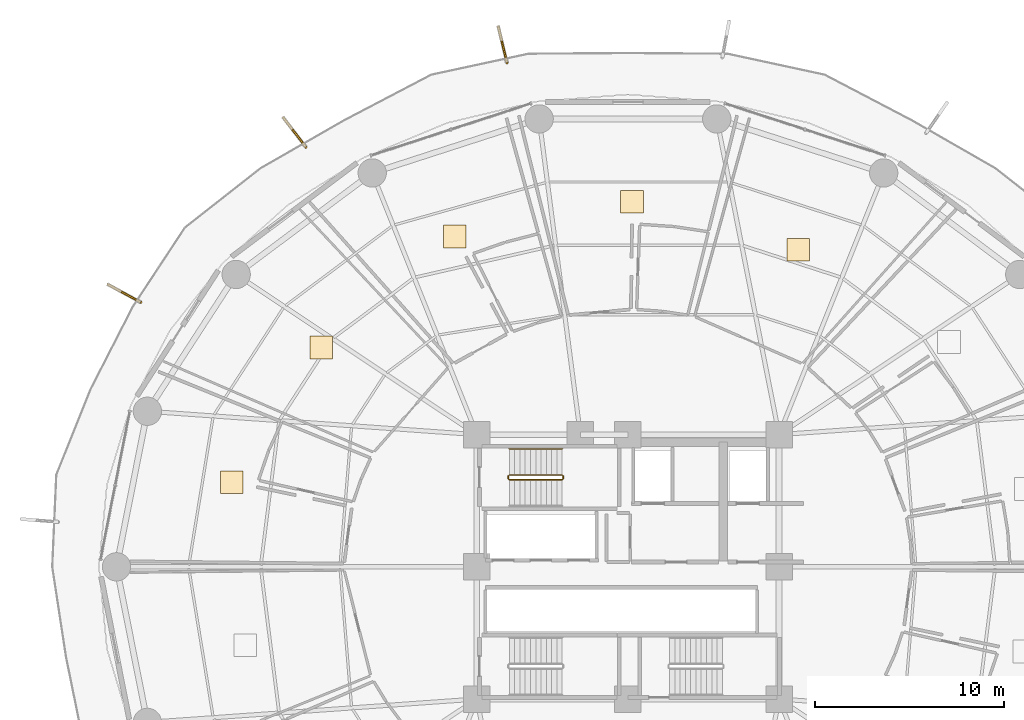
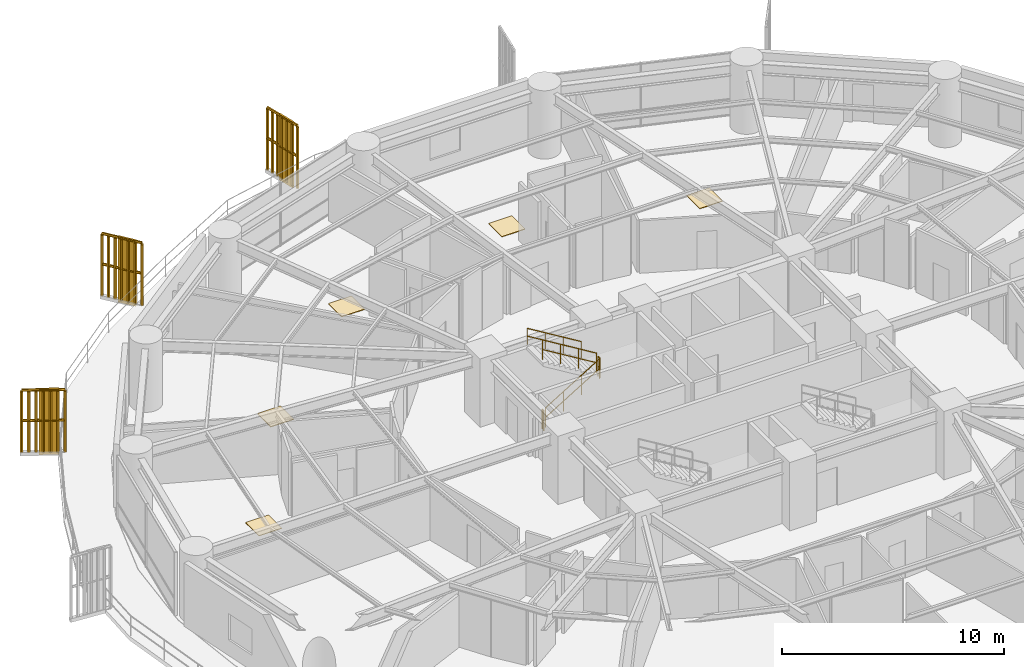
# One storey, part 33 of 34: 8 railings, 5 coverings, 3 shading devices.
"""IFC4 building model written with IfcOpenShell, lengths in metres."""

from ifc_helpers import new_model, si_unit, direction, frame, origin, origin_2d, place, context, subcontext, project, spatial, polyline, rectangle, outline, extrude, source, transform, mapped, material, layer, layer_set, type_object, element, save


model = new_model("IFC4")

# Units and contexts
model_context = context("Model", 3, precision=1e-05, world=origin(), true_north=direction((0.0, 1.0)))
body_context = subcontext(model_context, "Body", "Model", "MODEL_VIEW")
ifc_project = project(units=[si_unit("LENGTHUNIT", "METRE"), si_unit("AREAUNIT", "SQUARE_METRE"), si_unit("VOLUMEUNIT", "CUBIC_METRE"), si_unit("PLANEANGLEUNIT", "RADIAN"), si_unit("MASSUNIT", "GRAM", prefix="KILO")], contexts=[model_context])

# Site, building, storey
site_placement = place(None, origin())
site = spatial("IfcSite", under=ifc_project, at=site_placement, CompositionType="ELEMENT")
building_placement = place(site_placement, origin())
building = spatial("IfcBuilding", under=site, at=building_placement, Name="Kelanora Arch Commons", CompositionType="ELEMENT")
storey_placement = place(building_placement, frame((0.0, 0.0, 30.0)))
storey = spatial("IfcBuildingStorey", under=building, at=storey_placement, Name="L07", CompositionType="ELEMENT", Elevation=30.0)

# Railings
ifc_material_1 = material(Name="Anodised bronze vertical shading fin rib assembly")
railing_type_1 = type_object("IfcRailingType", Name="RAIL-FIN-BRZ", PredefinedType="BALUSTRADE", material=ifc_material_1)
railing_1_placement = place(storey_placement, frame((67.591064453125, 84.697509765625, -0.02001953125)))
element("IfcRailing", 1, at=railing_1_placement, inside=storey, type_object=railing_type_1, Name="Sweeping Bronze Vertical Fin Blade L07-04", PredefinedType="BALUSTRADE", context=body_context, shape_type="SweptSolid", body=[
    extrude(outline(polyline([(0.06982421875, 0.0), (0.034912109375, 0.060546875), (-0.034912109375, 0.060546875), (-0.06982421875, 0.0), (-0.034912109375, -0.060546875), (0.034912109375, -0.060546875), (0.06982421875, 0.0)])), frame((0.0, 0.0, 3.419921875), z_axis=(-0.233415463258, 0.97237709841, 0.0), x_axis=(-0.97237709841, -0.233415463258, 0.0)), (0.0, 0.0, 1.0), 1.954833984375),
    extrude(outline(polyline([(0.06982421875, 0.0), (0.034912109375, 0.060546875), (-0.034912109375, 0.060546875), (-0.06982421875, 0.0), (-0.034912109375, -0.060546875), (0.034912109375, -0.060546875), (0.06982421875, 0.0)])), frame((0.0, 0.0, 1.7451171875), z_axis=(-0.233415463258, 0.97237709841, 0.0), x_axis=(-0.97237709841, -0.233415463258, 0.0)), (0.0, 0.0, 1.0), 1.954833984375),
    extrude(outline(polyline([(0.080078125, 0.0), (0.0400390625, 0.0693359375), (-0.0400390625, 0.0693359375), (-0.080078125, 0.0), (-0.0400390625, -0.0693359375), (0.0400390625, -0.0693359375), (0.080078125, 0.0)])), origin(), (0.0, 0.0, 1.0), 3.35009765625),
    extrude(outline(polyline([(0.080078125, 0.0), (0.0400390625, 0.0693359375), (-0.0400390625, 0.0693359375), (-0.080078125, 0.0), (-0.0400390625, -0.0693359375), (0.0400390625, -0.0693359375), (0.080078125, 0.0)])), frame((-0.076171875, 0.31689453125, 0.0)), (0.0, 0.0, 1.0), 3.35009765625),
    extrude(outline(polyline([(0.080078125, 0.0), (0.0400390625, 0.0693359375), (-0.0400390625, 0.0693359375), (-0.080078125, 0.0), (-0.0400390625, -0.0693359375), (0.0400390625, -0.0693359375), (0.080078125, 0.0)])), frame((-0.152099609375, 0.633544921875, 0.0)), (0.0, 0.0, 1.0), 3.35009765625),
    extrude(outline(polyline([(0.080078125, 0.0), (0.0400390625, 0.0693359375), (-0.0400390625, 0.0693359375), (-0.080078125, 0.0), (-0.0400390625, -0.0693359375), (0.0400390625, -0.0693359375), (0.080078125, 0.0)])), frame((-0.22802734375, 0.950439453125, 0.0)), (0.0, 0.0, 1.0), 3.35009765625),
    extrude(outline(polyline([(0.080078125, 0.0), (0.0400390625, 0.0693359375), (-0.0400390625, 0.0693359375), (-0.080078125, 0.0), (-0.0400390625, -0.0693359375), (0.0400390625, -0.0693359375), (0.080078125, 0.0)])), frame((-0.30419921875, 1.267333984375, 0.0)), (0.0, 0.0, 1.0), 3.35009765625),
    extrude(outline(polyline([(0.080078125, 0.0), (0.0400390625, 0.0693359375), (-0.0400390625, 0.0693359375), (-0.080078125, 0.0), (-0.0400390625, -0.0693359375), (0.0400390625, -0.0693359375), (0.080078125, 0.0)])), frame((-0.38037109375, 1.583984375, 0.0)), (0.0, 0.0, 1.0), 3.35009765625),
    extrude(outline(polyline([(0.080078125, 0.0), (0.0400390625, 0.0693359375), (-0.0400390625, 0.0693359375), (-0.080078125, 0.0), (-0.0400390625, -0.0693359375), (0.0400390625, -0.0693359375), (0.080078125, 0.0)])), frame((-0.456298828125, 1.90087890625, 0.0)), (0.0, 0.0, 1.0), 3.35009765625),
])
railing_2_placement = place(storey_placement, frame((56.94384765625, 80.228759765625, -0.02001953125)))
element("IfcRailing", 2, at=railing_2_placement, inside=storey, type_object=railing_type_1, Name="Sweeping Bronze Vertical Fin Blade L07-05", PredefinedType="BALUSTRADE", context=body_context, shape_type="SweptSolid", body=[
    extrude(outline(polyline([(0.06982421875, 0.0), (0.034912109375, 0.060546875), (-0.034912109375, 0.060546875), (-0.06982421875, 0.0), (-0.034912109375, -0.060546875), (0.034912109375, -0.060546875), (0.06982421875, 0.0)])), frame((0.0, 0.0, 3.419921875), z_axis=(-0.6086963144, 0.793403300243, 0.0), x_axis=(-0.793403300243, -0.6086963144, 0.0)), (0.0, 0.0, 1.0), 1.954833984375),
    extrude(outline(polyline([(0.06982421875, 0.0), (0.034912109375, 0.060546875), (-0.034912109375, 0.060546875), (-0.06982421875, 0.0), (-0.034912109375, -0.060546875), (0.034912109375, -0.060546875), (0.06982421875, 0.0)])), frame((0.0, 0.0, 1.7451171875), z_axis=(-0.6086963144, 0.793403300243, 0.0), x_axis=(-0.793403300243, -0.6086963144, 0.0)), (0.0, 0.0, 1.0), 1.954833984375),
    extrude(outline(polyline([(0.080078125, 0.0), (0.0400390625, 0.0693359375), (-0.0400390625, 0.0693359375), (-0.080078125, 0.0), (-0.0400390625, -0.0693359375), (0.0400390625, -0.0693359375), (0.080078125, 0.0)])), origin(), (0.0, 0.0, 1.0), 3.35009765625),
    extrude(outline(polyline([(0.080078125, 0.0), (0.0400390625, 0.0693359375), (-0.0400390625, 0.0693359375), (-0.080078125, 0.0), (-0.0400390625, -0.0693359375), (0.0400390625, -0.0693359375), (0.080078125, 0.0)])), frame((-0.1982421875, 0.258544921875, 0.0)), (0.0, 0.0, 1.0), 3.35009765625),
    extrude(outline(polyline([(0.080078125, 0.0), (0.0400390625, 0.0693359375), (-0.0400390625, 0.0693359375), (-0.080078125, 0.0), (-0.0400390625, -0.0693359375), (0.0400390625, -0.0693359375), (0.080078125, 0.0)])), frame((-0.396728515625, 0.51708984375, 0.0)), (0.0, 0.0, 1.0), 3.35009765625),
    extrude(outline(polyline([(0.080078125, 0.0), (0.0400390625, 0.0693359375), (-0.0400390625, 0.0693359375), (-0.080078125, 0.0), (-0.0400390625, -0.0693359375), (0.0400390625, -0.0693359375), (0.080078125, 0.0)])), frame((-0.594970703125, 0.775390625, 0.0)), (0.0, 0.0, 1.0), 3.35009765625),
    extrude(outline(polyline([(0.080078125, 0.0), (0.0400390625, 0.0693359375), (-0.0400390625, 0.0693359375), (-0.080078125, 0.0), (-0.0400390625, -0.0693359375), (0.0400390625, -0.0693359375), (0.080078125, 0.0)])), frame((-0.793212890625, 1.033935546875, 0.0)), (0.0, 0.0, 1.0), 3.35009765625),
    extrude(outline(polyline([(0.080078125, 0.0), (0.0400390625, 0.0693359375), (-0.0400390625, 0.0693359375), (-0.080078125, 0.0), (-0.0400390625, -0.0693359375), (0.0400390625, -0.0693359375), (0.080078125, 0.0)])), frame((-0.99169921875, 1.29248046875, 0.0)), (0.0, 0.0, 1.0), 3.35009765625),
    extrude(outline(polyline([(0.080078125, 0.0), (0.0400390625, 0.0693359375), (-0.0400390625, 0.0693359375), (-0.080078125, 0.0), (-0.0400390625, -0.0693359375), (0.0400390625, -0.0693359375), (0.080078125, 0.0)])), frame((-1.18994140625, 1.551025390625, 0.0)), (0.0, 0.0, 1.0), 3.35009765625),
])
railing_3_placement = place(storey_placement, frame((48.19970703125, 72.009033203125, -0.02001953125)))
element("IfcRailing", 3, at=railing_3_placement, inside=storey, type_object=railing_type_1, Name="Sweeping Bronze Vertical Fin Blade L07-06", PredefinedType="BALUSTRADE", context=body_context, shape_type="SweptSolid", body=[
    extrude(outline(polyline([(0.06982421875, 0.0), (0.034912109375, 0.060546875), (-0.034912109375, 0.060546875), (-0.06982421875, 0.0), (-0.034912109375, -0.060546875), (0.034912109375, -0.060546875), (0.06982421875, 0.0)])), frame((0.0, 0.0, 3.419921875), z_axis=(-0.878833983992, 0.477127685825, 0.0), x_axis=(-0.477127685825, -0.878833983992, 0.0)), (0.0, 0.0, 1.0), 1.955078125),
    extrude(outline(polyline([(0.06982421875, 0.0), (0.034912109375, 0.060546875), (-0.034912109375, 0.060546875), (-0.06982421875, 0.0), (-0.034912109375, -0.060546875), (0.034912109375, -0.060546875), (0.06982421875, 0.0)])), frame((0.0, 0.0, 1.7451171875), z_axis=(-0.878833983992, 0.477127685825, 0.0), x_axis=(-0.477127685825, -0.878833983992, 0.0)), (0.0, 0.0, 1.0), 1.955078125),
    extrude(outline(polyline([(0.080078125, 0.0), (0.0400390625, 0.0693359375), (-0.0400390625, 0.0693359375), (-0.080078125, 0.0), (-0.0400390625, -0.0693359375), (0.0400390625, -0.0693359375), (0.080078125, 0.0)])), origin(), (0.0, 0.0, 1.0), 3.35009765625),
    extrude(outline(polyline([(0.080078125, 0.0), (0.0400390625, 0.0693359375), (-0.0400390625, 0.0693359375), (-0.080078125, 0.0), (-0.0400390625, -0.0693359375), (0.0400390625, -0.0693359375), (0.080078125, 0.0)])), frame((-0.286376953125, 0.155517578125, 0.0)), (0.0, 0.0, 1.0), 3.35009765625),
    extrude(outline(polyline([(0.080078125, 0.0), (0.0400390625, 0.0693359375), (-0.0400390625, 0.0693359375), (-0.080078125, 0.0), (-0.0400390625, -0.0693359375), (0.0400390625, -0.0693359375), (0.080078125, 0.0)])), frame((-0.57275390625, 0.31103515625, 0.0)), (0.0, 0.0, 1.0), 3.35009765625),
    extrude(outline(polyline([(0.080078125, 0.0), (0.0400390625, 0.0693359375), (-0.0400390625, 0.0693359375), (-0.080078125, 0.0), (-0.0400390625, -0.0693359375), (0.0400390625, -0.0693359375), (0.080078125, 0.0)])), frame((-0.859130859375, 0.46630859375, 0.0)), (0.0, 0.0, 1.0), 3.35009765625),
    extrude(outline(polyline([(0.080078125, 0.0), (0.0400390625, 0.0693359375), (-0.0400390625, 0.0693359375), (-0.080078125, 0.0), (-0.0400390625, -0.0693359375), (0.0400390625, -0.0693359375), (0.080078125, 0.0)])), frame((-1.1455078125, 0.621826171875, 0.0)), (0.0, 0.0, 1.0), 3.35009765625),
    extrude(outline(polyline([(0.080078125, 0.0), (0.0400390625, 0.0693359375), (-0.0400390625, 0.0693359375), (-0.080078125, 0.0), (-0.0400390625, -0.0693359375), (0.0400390625, -0.0693359375), (0.080078125, 0.0)])), frame((-1.431884765625, 0.77734375, 0.0)), (0.0, 0.0, 1.0), 3.35009765625),
    extrude(outline(polyline([(0.080078125, 0.0), (0.0400390625, 0.0693359375), (-0.0400390625, 0.0693359375), (-0.080078125, 0.0), (-0.0400390625, -0.0693359375), (0.0400390625, -0.0693359375), (0.080078125, 0.0)])), frame((-1.71826171875, 0.932861328125, 0.0)), (0.0, 0.0, 1.0), 3.35009765625),
])
ifc_material_2 = material(Name="Painted steel stair well guard", Category="steel")
railing_type_2 = type_object("IfcRailingType", Name="RAIL-STAIR-GRD", PredefinedType="GUARDRAIL", material=ifc_material_2)
railing_4_placement = place(storey_placement, frame((67.719970703125, 62.610107421875, 0.17041015625)))
element("IfcRailing", 4, at=railing_4_placement, inside=storey, type_object=railing_type_2, Name="L07 ST-T1 stair guard 1", PredefinedType="GUARDRAIL", context=body_context, shape_type="SweptSolid", body=[
    extrude(outline(polyline([(0.02392578125, 0.0), (0.011962890625, 0.020751953125), (-0.011962890625, 0.020751953125), (-0.02392578125, 0.0), (-0.011962890625, -0.020751953125), (0.011962890625, -0.020751953125), (0.02392578125, 0.0)])), frame((0.0, 0.0, 1.076171875), z_axis=(0.854169791009, 0.0, 0.51999420009), x_axis=(0.0, 1.0, 0.0)), (0.0, 0.0, 1.0), 3.278076171875),
    extrude(outline(polyline([(0.02392578125, 0.0), (0.011962890625, 0.020751953125), (-0.011962890625, 0.020751953125), (-0.02392578125, 0.0), (-0.011962890625, -0.020751953125), (0.011962890625, -0.020751953125), (0.02392578125, 0.0)])), frame((0.0, 0.0, 0.550048828125), z_axis=(0.854169791009, 0.0, 0.51999420009), x_axis=(0.0, 1.0, 0.0)), (0.0, 0.0, 1.0), 3.278076171875),
    extrude(outline(polyline([(0.02099609375, 0.0), (0.010498046875, 0.01806640625), (-0.010498046875, 0.01806640625), (-0.02099609375, 0.0), (-0.010498046875, -0.01806640625), (0.010498046875, -0.01806640625), (0.02099609375, 0.0)])), origin(), (0.0, 0.0, 1.0), 1.052001953125),
    extrude(outline(polyline([(0.02099609375, 0.0), (0.010498046875, 0.01806640625), (-0.010498046875, 0.01806640625), (-0.02099609375, 0.0), (-0.010498046875, -0.01806640625), (0.010498046875, -0.01806640625), (0.02099609375, 0.0)])), frame((0.933349609375, 0.0, 0.568115234375)), (0.0, 0.0, 1.0), 1.052001953125),
    extrude(outline(polyline([(0.02099609375, 0.0), (0.010498046875, 0.01806640625), (-0.010498046875, 0.01806640625), (-0.02099609375, 0.0), (-0.010498046875, -0.01806640625), (0.010498046875, -0.01806640625), (0.02099609375, 0.0)])), frame((1.86669921875, 0.0, 1.136474609375)), (0.0, 0.0, 1.0), 1.052001953125),
    extrude(outline(polyline([(0.02099609375, 0.0), (0.010498046875, 0.01806640625), (-0.010498046875, 0.01806640625), (-0.02099609375, 0.0), (-0.010498046875, -0.01806640625), (0.010498046875, -0.01806640625), (0.02099609375, 0.0)])), frame((2.800048828125, 0.0, 1.70458984375)), (0.0, 0.0, 1.0), 1.052001953125),
])
railing_5_placement = place(storey_placement, frame((70.570068359375, 62.659912109375, 1.875)))
element("IfcRailing", 5, at=railing_5_placement, inside=storey, type_object=railing_type_2, Name="L07 ST-T1 stair guard 2", PredefinedType="GUARDRAIL", context=body_context, shape_type="SweptSolid", body=[
    extrude(outline(polyline([(0.02392578125, 0.0), (0.011962890625, 0.020751953125), (-0.011962890625, 0.020751953125), (-0.02392578125, 0.0), (-0.011962890625, -0.020751953125), (0.011962890625, -0.020751953125), (0.02392578125, 0.0)])), frame((0.0, 0.0, 1.076171875), z_axis=(0.0, 1.0, 0.0), x_axis=(-1.0, 0.0, 0.0)), (0.0, 0.0, 1.0), 0.150146484375),
    extrude(outline(polyline([(0.02392578125, 0.0), (0.011962890625, 0.020751953125), (-0.011962890625, 0.020751953125), (-0.02392578125, 0.0), (-0.011962890625, -0.020751953125), (0.011962890625, -0.020751953125), (0.02392578125, 0.0)])), frame((0.0, 0.0, 0.550048828125), z_axis=(0.0, 1.0, 0.0), x_axis=(-1.0, 0.0, 0.0)), (0.0, 0.0, 1.0), 0.150146484375),
    extrude(outline(polyline([(0.02099609375, 0.0), (0.010498046875, 0.01806640625), (-0.010498046875, 0.01806640625), (-0.02099609375, 0.0), (-0.010498046875, -0.01806640625), (0.010498046875, -0.01806640625), (0.02099609375, 0.0)])), origin(), (0.0, 0.0, 1.0), 1.052001953125),
    extrude(outline(polyline([(0.02099609375, 0.0), (0.010498046875, 0.01806640625), (-0.010498046875, 0.01806640625), (-0.02099609375, 0.0), (-0.010498046875, -0.01806640625), (0.010498046875, -0.01806640625), (0.02099609375, 0.0)])), frame((0.0, 0.150146484375, 0.0)), (0.0, 0.0, 1.0), 1.052001953125),
])
railing_6_placement = place(storey_placement, frame((70.52001953125, 62.860107421875, 2.04541015625)))
element("IfcRailing", 6, at=railing_6_placement, inside=storey, type_object=railing_type_2, Name="L07 ST-T1 stair guard 3", PredefinedType="GUARDRAIL", context=body_context, shape_type="SweptSolid", body=[
    extrude(outline(polyline([(0.02392578125, 0.0), (0.011962890625, 0.020751953125), (-0.011962890625, 0.020751953125), (-0.02392578125, 0.0), (-0.011962890625, -0.020751953125), (0.011962890625, -0.020751953125), (0.02392578125, 0.0)])), frame((0.0, 0.0, 1.076171875), z_axis=(-0.854169791009, 0.0, 0.51999420009), x_axis=(0.0, -1.0, 0.0)), (0.0, 0.0, 1.0), 3.278076171875),
    extrude(outline(polyline([(0.02392578125, 0.0), (0.011962890625, 0.020751953125), (-0.011962890625, 0.020751953125), (-0.02392578125, 0.0), (-0.011962890625, -0.020751953125), (0.011962890625, -0.020751953125), (0.02392578125, 0.0)])), frame((0.0, 0.0, 0.550048828125), z_axis=(-0.854169791009, 0.0, 0.51999420009), x_axis=(0.0, -1.0, 0.0)), (0.0, 0.0, 1.0), 3.278076171875),
    extrude(outline(polyline([(0.02099609375, 0.0), (0.010498046875, 0.01806640625), (-0.010498046875, 0.01806640625), (-0.02099609375, 0.0), (-0.010498046875, -0.01806640625), (0.010498046875, -0.01806640625), (0.02099609375, 0.0)])), origin(), (0.0, 0.0, 1.0), 1.052001953125),
    extrude(outline(polyline([(0.02099609375, 0.0), (0.010498046875, 0.01806640625), (-0.010498046875, 0.01806640625), (-0.02099609375, 0.0), (-0.010498046875, -0.01806640625), (0.010498046875, -0.01806640625), (0.02099609375, 0.0)])), frame((-0.933349609375, 0.0, 0.568115234375)), (0.0, 0.0, 1.0), 1.052001953125),
    extrude(outline(polyline([(0.02099609375, 0.0), (0.010498046875, 0.01806640625), (-0.010498046875, 0.01806640625), (-0.02099609375, 0.0), (-0.010498046875, -0.01806640625), (0.010498046875, -0.01806640625), (0.02099609375, 0.0)])), frame((-1.86669921875, 0.0, 1.136474609375)), (0.0, 0.0, 1.0), 1.052001953125),
    extrude(outline(polyline([(0.02099609375, 0.0), (0.010498046875, 0.01806640625), (-0.010498046875, 0.01806640625), (-0.02099609375, 0.0), (-0.010498046875, -0.01806640625), (0.010498046875, -0.01806640625), (0.02099609375, 0.0)])), frame((-2.800048828125, 0.0, 1.70458984375)), (0.0, 0.0, 1.0), 1.052001953125),
])
railing_7_placement = place(storey_placement, frame((67.669921875, 62.659912109375, 0.0)))
element("IfcRailing", 7, at=railing_7_placement, inside=storey, type_object=railing_type_2, Name="L07 ST-T1 stair guard 4", PredefinedType="GUARDRAIL", context=body_context, shape_type="SweptSolid", body=[
    extrude(outline(polyline([(0.02392578125, 0.0), (0.011962890625, 0.020751953125), (-0.011962890625, 0.020751953125), (-0.02392578125, 0.0), (-0.011962890625, -0.020751953125), (0.011962890625, -0.020751953125), (0.02392578125, 0.0)])), frame((0.0, 0.0, 1.076171875), z_axis=(0.0, 1.0, 0.0), x_axis=(-1.0, 0.0, 0.0)), (0.0, 0.0, 1.0), 0.150146484375),
    extrude(outline(polyline([(0.02392578125, 0.0), (0.011962890625, 0.020751953125), (-0.011962890625, 0.020751953125), (-0.02392578125, 0.0), (-0.011962890625, -0.020751953125), (0.011962890625, -0.020751953125), (0.02392578125, 0.0)])), frame((0.0, 0.0, 0.550048828125), z_axis=(0.0, 1.0, 0.0), x_axis=(-1.0, 0.0, 0.0)), (0.0, 0.0, 1.0), 0.150146484375),
    extrude(outline(polyline([(0.02099609375, 0.0), (0.010498046875, 0.01806640625), (-0.010498046875, 0.01806640625), (-0.02099609375, 0.0), (-0.010498046875, -0.01806640625), (0.010498046875, -0.01806640625), (0.02099609375, 0.0)])), origin(), (0.0, 0.0, 1.0), 1.052001953125),
    extrude(outline(polyline([(0.02099609375, 0.0), (0.010498046875, 0.01806640625), (-0.010498046875, 0.01806640625), (-0.02099609375, 0.0), (-0.010498046875, -0.01806640625), (0.010498046875, -0.01806640625), (0.02099609375, 0.0)])), frame((0.0, 0.150146484375, 0.0)), (0.0, 0.0, 1.0), 1.052001953125),
])
ifc_material_3 = material(Name="Brushed stainless steel stair handrail", Category="steel")
railing_type_3 = type_object("IfcRailingType", Name="RAIL-STAIR-HND", PredefinedType="HANDRAIL", material=ifc_material_3)
railing_8_placement = place(storey_placement, frame((70.52001953125, 64.239990234375, 2.04541015625)))
element("IfcRailing", 8, at=railing_8_placement, inside=storey, type_object=railing_type_3, Name="L07 ST-T1 stair handrail 2", PredefinedType="HANDRAIL", context=body_context, shape_type="SweptSolid", body=[
    extrude(outline(polyline([(0.02392578125, 0.0), (0.011962890625, 0.020751953125), (-0.011962890625, 0.020751953125), (-0.02392578125, 0.0), (-0.011962890625, -0.020751953125), (0.011962890625, -0.020751953125), (0.02392578125, 0.0)])), frame((0.0, 0.0, 0.8759765625), z_axis=(-0.854169791009, 0.0, 0.51999420009), x_axis=(0.0, -1.0, 0.0)), (0.0, 0.0, 1.0), 3.278076171875),
    extrude(outline(polyline([(0.02392578125, 0.0), (0.011962890625, 0.020751953125), (-0.011962890625, 0.020751953125), (-0.02392578125, 0.0), (-0.011962890625, -0.020751953125), (0.011962890625, -0.020751953125), (0.02392578125, 0.0)])), frame((0.0, 0.0, 0.449951171875), z_axis=(-0.854169791009, 0.0, 0.51999420009), x_axis=(0.0, -1.0, 0.0)), (0.0, 0.0, 1.0), 3.278076171875),
    extrude(outline(polyline([(0.02099609375, 0.0), (0.010498046875, 0.01806640625), (-0.010498046875, 0.01806640625), (-0.02099609375, 0.0), (-0.010498046875, -0.01806640625), (0.010498046875, -0.01806640625), (0.02099609375, 0.0)])), origin(), (0.0, 0.0, 1.0), 0.851806640625),
    extrude(outline(polyline([(0.02099609375, 0.0), (0.010498046875, 0.01806640625), (-0.010498046875, 0.01806640625), (-0.02099609375, 0.0), (-0.010498046875, -0.01806640625), (0.010498046875, -0.01806640625), (0.02099609375, 0.0)])), frame((-0.933349609375, 0.0, 0.568115234375)), (0.0, 0.0, 1.0), 0.851806640625),
    extrude(outline(polyline([(0.02099609375, 0.0), (0.010498046875, 0.01806640625), (-0.010498046875, 0.01806640625), (-0.02099609375, 0.0), (-0.010498046875, -0.01806640625), (0.010498046875, -0.01806640625), (0.02099609375, 0.0)])), frame((-1.86669921875, 0.0, 1.136474609375)), (0.0, 0.0, 1.0), 0.851806640625),
    extrude(outline(polyline([(0.02099609375, 0.0), (0.010498046875, 0.01806640625), (-0.010498046875, 0.01806640625), (-0.02099609375, 0.0), (-0.010498046875, -0.01806640625), (0.010498046875, -0.01806640625), (0.02099609375, 0.0)])), frame((-2.800048828125, 0.0, 1.70458984375)), (0.0, 0.0, 1.0), 0.851806640625),
])

# Shading devices
ifc_material_4 = material(Name="Terracotta ceramic-clad extruded aluminium fin", Category="masonry")
shading_device_type = type_object("IfcShadingDeviceType", Name="SHD-FIN-FLARE", PredefinedType="USERDEFINED", material=ifc_material_4)
shared_shape_1 = source(origin(), body_context, "Body", "SweptSolid", [
    extrude(rectangle(XDim=0.8798828125, YDim=0.090087890625, at=origin_2d()), origin(), (0.0, 0.0, 1.0), 3.610107421875),
])
for number, where, z_axis, x_axis, name in (
    (9, (67.4228515625, 85.3974609375, -0.14013671875), (0.0, 0.0, 1.0), (-0.233445363856, 0.972369920398, 0.0), "Sweeping Terracotta Fin L07-04"),
    (10, (56.505615234375, 80.800048828125, -0.14013671875), (0.0, 0.0, 1.0), (-0.608761429009, 0.793353340291, 0.0), "Sweeping Terracotta Fin L07-05"),
    (11, (47.56689453125, 72.3525390625, -0.14013671875), (0.0, 0.0, 1.0), (-0.878817112662, 0.47715876026, 0.0), "Sweeping Terracotta Fin L07-06"),
):
    element("IfcShadingDevice", number, at=place(storey_placement, frame(where, z_axis=z_axis, x_axis=x_axis)), inside=storey, type_object=shading_device_type, Name=name, ObjectType="FIN", PredefinedType="USERDEFINED", context=body_context, shape_type="MappedRepresentation", body=[
        mapped(shared_shape_1, transform((0.0, 0.0, 0.0), scale=1.0)),
    ])

# Coverings
ifc_material_5 = material(Name="Polished local granite terrazzo flooring", Category="masonry")
ifc_layer = layer(ifc_material_5, 0.030029296875)
ifc_layer_set = layer_set([ifc_layer], Name="Polished local granite terrazzo flooring")
covering_type = type_object("IfcCoveringType", Name="COV-FLR-TER", PredefinedType="FLOORING", material=ifc_layer_set)
shared_shape_2 = source(origin(), body_context, "Body", "SweptSolid", [
    extrude(rectangle(XDim=1.199951171875, YDim=1.199951171875, at=origin_2d()), origin(), (0.0, 0.0, 1.0), 0.030029296875),
])
for number, where, z_axis, x_axis, name in (
    (12, (83.015380859375, 74.78271484375, 0.0), (0.0, 0.0, 1.0), (1.0, 0.0, 0.0), "Social Sky Lounge L07-03 Terrazzo Finish"),
    (13, (74.2109375, 77.322998046875, 0.0), (0.0, 0.0, 1.0), (1.0, 0.0, 0.0), "Co-Living Studio L07-04 Terrazzo Finish"),
    (14, (64.830810546875, 75.48974609375, 0.0), (0.0, 0.0, 1.0), (1.0, 0.0, 0.0), "Co-Living Studio L07-05 Terrazzo Finish"),
    (15, (57.7548828125, 69.614013671875, 0.0), (0.0, 0.0, 1.0), (1.0, 0.0, 0.0), "Quiet Seminar Study Room L07-06 Terrazzo Finish"),
    (16, (53.017333984375, 62.48046875, 0.0), (0.0, 0.0, 1.0), (1.0, 0.0, 0.0), "Co-Living Studio L07-07 Terrazzo Finish"),
):
    element("IfcCovering", number, at=place(storey_placement, frame(where, z_axis=z_axis, x_axis=x_axis)), inside=storey, type_object=covering_type, Name=name, PredefinedType="FLOORING", context=body_context, shape_type="MappedRepresentation", body=[
        mapped(shared_shape_2, transform((0.0, 0.0, 0.0), scale=1.0)),
    ])

save(model, "model.ifc")
